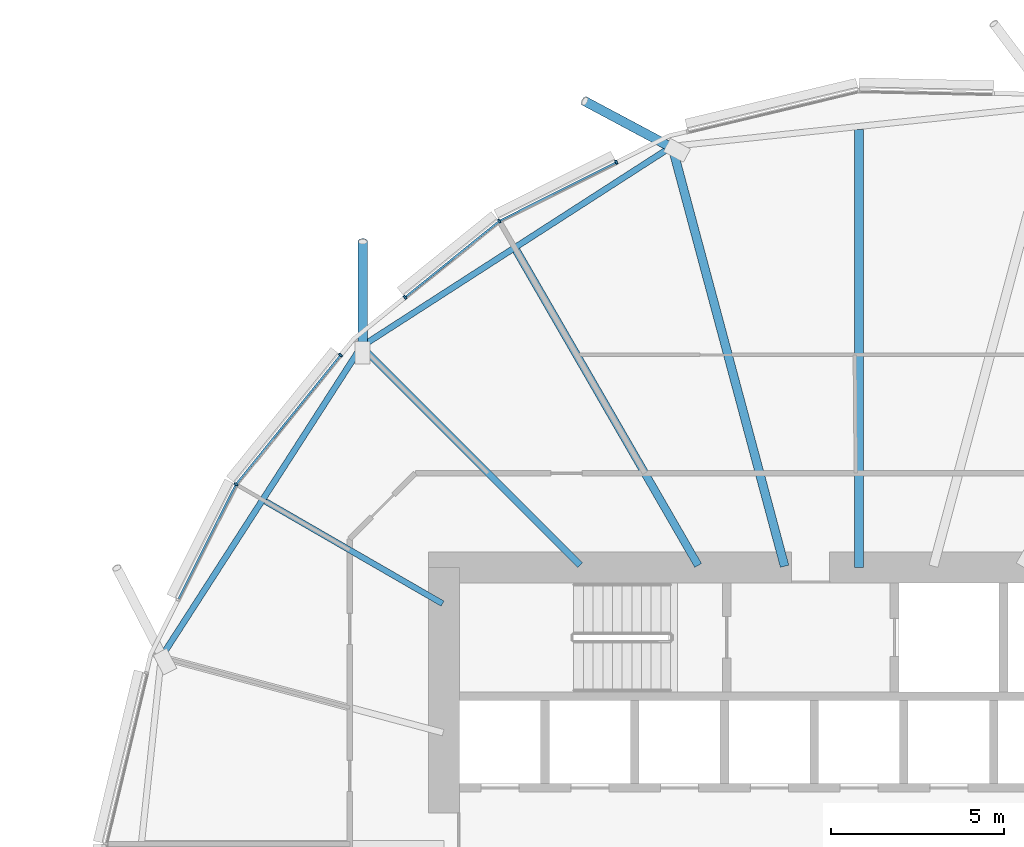
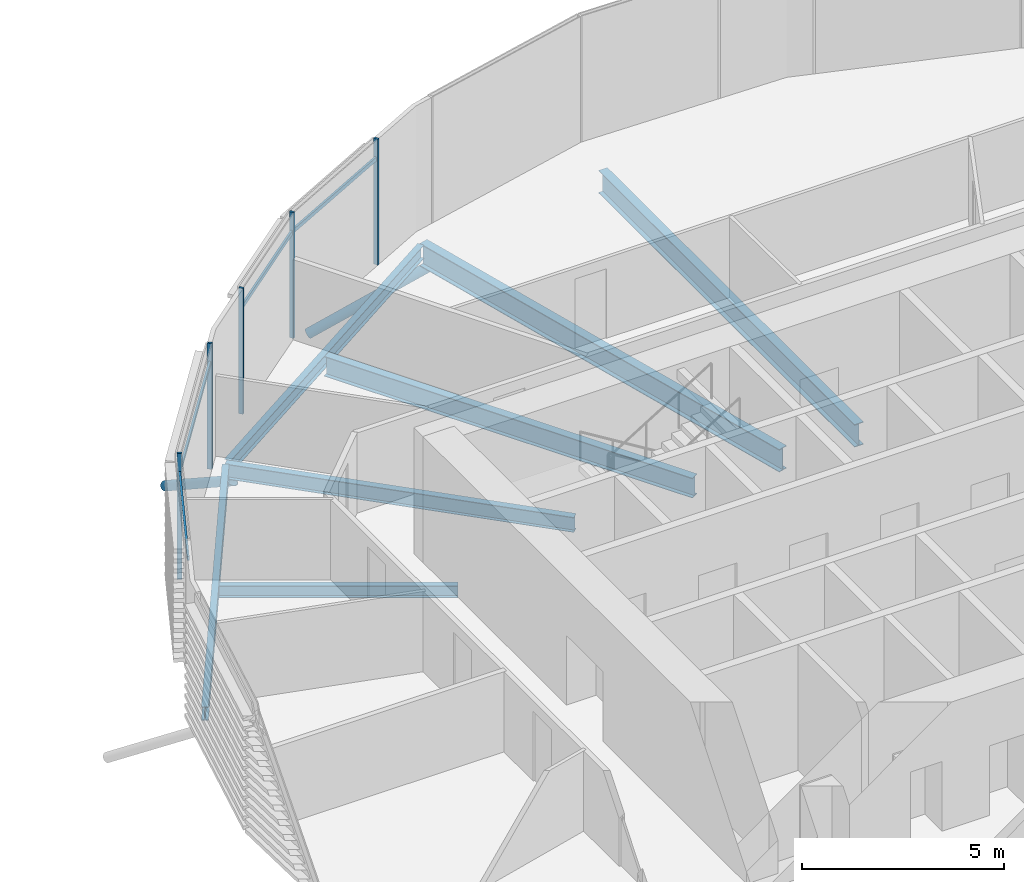
# One storey, part 17 of 37: 11 members, 7 beams, 1 element without a shape of its own.
"""IFC4 building model written with IfcOpenShell, lengths in metres."""

from ifc_helpers import new_model, si_unit, direction, frame, origin, origin_2d, place, context, subcontext, project, spatial, rectangle, hollow_circle, i_section, extrude, clip, halfspace, material, material_profile, profile_set, type_object, element, aggregate, save


model = new_model("IFC4")

# Units and contexts
model_context = context("Model", 3, precision=1e-05, world=origin(), true_north=direction((0.0, 1.0)))
body_context = subcontext(model_context, "Body", "Model", "MODEL_VIEW")
ifc_project = project(units=[si_unit("LENGTHUNIT", "METRE"), si_unit("AREAUNIT", "SQUARE_METRE"), si_unit("VOLUMEUNIT", "CUBIC_METRE"), si_unit("PLANEANGLEUNIT", "RADIAN"), si_unit("MASSUNIT", "GRAM", prefix="KILO")], contexts=[model_context])

# Site, building, storey
site_placement = place(None, origin())
site = spatial("IfcSite", under=ifc_project, at=site_placement, CompositionType="ELEMENT")
building_placement = place(site_placement, origin())
building = spatial("IfcBuilding", under=site, at=building_placement, Name="Rimbun Link Towers", CompositionType="ELEMENT")
storey_placement = place(building_placement, frame((0.0, 0.0, 60.39990234375)))
storey = spatial("IfcBuildingStorey", under=building, at=storey_placement, Name="L14", CompositionType="ELEMENT", Elevation=60.39990234375)

# Curtain wall, members
ifc_material_1 = material(Name="Aluminium 6063-T6 and low-iron glass", Category="aluminium")
curtain_wall_type = type_object("IfcCurtainWallType", Name="CW1 unitised vision wall", PredefinedType="NOTDEFINED", material=ifc_material_1)
curtain_wall_placement = place(storey_placement, origin())
curtain_wall = element("IfcCurtainWall", 1, at=curtain_wall_placement, inside=storey, type_object=curtain_wall_type, Name="CW1 L14 T2", PredefinedType="NOTDEFINED")
ifc_material_2 = material(Name="Aluminium 6063-T6", Category="aluminium")
ifc_material_profile_1 = material_profile(ifc_material_2, rectangle(XDim=0.1201171875, YDim=0.06005859375, at=origin_2d()), Name="MULLION 60X120")
ifc_profile_set_1 = profile_set([ifc_material_profile_1], Name="Aluminium 6063-T6")
member_type_1 = type_object("IfcMemberType", Name="CW1 mullion 60X120", PredefinedType="MULLION", material=ifc_profile_set_1)
member_1_placement = place(storey_placement, frame((21.34716796875, 18.01220703125, 0.0), z_axis=(0.0, 0.0, 1.0), x_axis=(-0.542104802562, 0.840310884756, 0.0)))
member_1 = element("IfcMember", 2, at=member_1_placement, type_object=member_type_1, Name="CW1 mullion", PredefinedType="MULLION", context=body_context, shape_type="SweptSolid", body=[
    extrude(rectangle(XDim=0.1201171875, YDim=0.06005859375, at=origin_2d()), origin(), (0.0, 0.0, 1.0), 3.800048828125),
])
member_2_placement = place(storey_placement, frame((24.73193359375, 19.712158203125, 0.0), z_axis=(0.0, 0.0, 1.0), x_axis=(-0.448789200311, 0.893637652343, 0.0)))
member_2 = element("IfcMember", 3, at=member_2_placement, type_object=member_type_1, Name="CW1 mullion", PredefinedType="MULLION", context=body_context, shape_type="SweptSolid", body=[
    extrude(rectangle(XDim=0.1201171875, YDim=0.06005859375, at=origin_2d()), origin(), (0.0, 0.0, 1.0), 3.800048828125),
])
member_3_placement = place(storey_placement, frame((18.623291015625, 15.8076171875, 0.0), z_axis=(0.0, 0.0, 1.0), x_axis=(-0.62915825639, 0.777277227517, 0.0)))
member_3 = element("IfcMember", 4, at=member_3_placement, type_object=member_type_1, Name="CW1 mullion", PredefinedType="MULLION", context=body_context, shape_type="SweptSolid", body=[
    extrude(rectangle(XDim=0.1201171875, YDim=0.06005859375, at=origin_2d()), origin(), (0.0, 0.0, 1.0), 3.800048828125),
])
member_4_placement = place(storey_placement, frame((13.73779296875, 10.40283203125, 0.0), z_axis=(0.0, 0.0, 1.0), x_axis=(-0.840310884756, 0.542104802562, 0.0)))
member_4 = element("IfcMember", 5, at=member_4_placement, type_object=member_type_1, Name="CW1 mullion", PredefinedType="MULLION", context=body_context, shape_type="SweptSolid", body=[
    extrude(rectangle(XDim=0.1201171875, YDim=0.06005859375, at=origin_2d()), origin(), (0.0, 0.0, 1.0), 3.800048828125),
])
member_5_placement = place(storey_placement, frame((16.76025390625, 14.136962890625, 0.0), z_axis=(0.0, 0.0, 1.0), x_axis=(-0.777277227517, 0.62915825639, 0.0)))
member_5 = element("IfcMember", 6, at=member_5_placement, type_object=member_type_1, Name="CW1 mullion", PredefinedType="MULLION", context=body_context, shape_type="SweptSolid", body=[
    extrude(rectangle(XDim=0.1201171875, YDim=0.06005859375, at=origin_2d()), origin(), (0.0, 0.0, 1.0), 3.800048828125),
])
ifc_material_3 = material(Name="Aluminium 6063-T6", Category="aluminium")
ifc_material_profile_2 = material_profile(ifc_material_3, rectangle(XDim=0.06005859375, YDim=0.1201171875, at=origin_2d()), Name="TRANSOM 60X120")
ifc_profile_set_2 = profile_set([ifc_material_profile_2], Name="Aluminium 6063-T6")
member_type_2 = type_object("IfcMemberType", Name="CW1 transom 60X120", PredefinedType="USERDEFINED", material=ifc_profile_set_2)
member_6_placement = place(storey_placement, frame((21.380615234375, 18.027099609375, 3.2001953125), z_axis=(0.893651671984, 0.448761283046, 0.0), x_axis=(-0.448761283046, 0.893651671984, 0.0)))
member_6 = element("IfcMember", 7, at=member_6_placement, type_object=member_type_2, Name="CW1 transom", ObjectType="TRANSOM", PredefinedType="USERDEFINED", context=body_context, shape_type="SweptSolid", body=[
    extrude(rectangle(XDim=0.06005859375, YDim=0.1201171875, at=origin_2d()), origin(), (0.0, 0.0, 1.0), 3.72119140625),
])
member_7_placement = place(storey_placement, frame((18.64794921875, 15.824951171875, 3.2001953125), z_axis=(0.777287868603, 0.629145109909, 0.0), x_axis=(-0.629145109909, 0.777287868603, 0.0)))
member_7 = element("IfcMember", 8, at=member_7_placement, type_object=member_type_2, Name="CW1 transom", ObjectType="TRANSOM", PredefinedType="USERDEFINED", context=body_context, shape_type="SweptSolid", body=[
    extrude(rectangle(XDim=0.06005859375, YDim=0.1201171875, at=origin_2d()), origin(), (0.0, 0.0, 1.0), 3.437744140625),
])
member_8_placement = place(storey_placement, frame((13.76220703125, 10.429931640625, 3.2001953125), z_axis=(0.629140413525, 0.777291669883, 0.0), x_axis=(-0.777291669883, 0.629140413525, 0.0)))
member_8 = element("IfcMember", 9, at=member_8_placement, type_object=member_type_2, Name="CW1 transom", ObjectType="TRANSOM", PredefinedType="USERDEFINED", context=body_context, shape_type="SweptSolid", body=[
    extrude(rectangle(XDim=0.06005859375, YDim=0.1201171875, at=origin_2d()), origin(), (0.0, 0.0, 1.0), 4.73779296875),
])
member_9_placement = place(storey_placement, frame((12.075439453125, 7.088623046875, 3.2001953125), z_axis=(0.448755777532, 0.893654436643, 0.0), x_axis=(-0.893654436643, 0.448755777532, 0.0)))
member_9 = element("IfcMember", 10, at=member_9_placement, type_object=member_type_2, Name="CW1 transom", ObjectType="TRANSOM", PredefinedType="USERDEFINED", context=body_context, shape_type="SweptSolid", body=[
    extrude(rectangle(XDim=0.06005859375, YDim=0.1201171875, at=origin_2d()), origin(), (0.0, 0.0, 1.0), 3.671142578125),
])
aggregate(curtain_wall, [member_1, member_2, member_3, member_4, member_5, member_6, member_7, member_8, member_9])

# Members
ifc_material_4 = material(Name="Steel S355J2H", Category="steel")
ifc_material_profile_3 = material_profile(ifc_material_4, hollow_circle(Radius=0.136474609375, WallThickness=0.012451171875, at=origin_2d()), Name="CHS 273x12.5")
ifc_profile_set_3 = profile_set([ifc_material_profile_3], Name="Steel S355J2H")
member_type_3 = type_object("IfcMemberType", Name="Floor edge link CHS 273x12.5", PredefinedType="BRACE", material=ifc_profile_set_3)
member_10_placement = place(storey_placement, frame((26.357177734375, 20.126708984375, -0.957763671875), z_axis=(-0.737683881414, 0.393723574116, -0.548456231879), x_axis=(-0.470860246145, -0.88220781486, 0.0)))
element("IfcMember", 11, at=member_10_placement, inside=storey, type_object=member_type_3, Name="Floor edge link T2 L14 04", PredefinedType="BRACE", context=body_context, shape_type="Clipping", body=[
    clip(extrude(hollow_circle(Radius=0.136474609375, WallThickness=0.012451171875, at=origin_2d()), frame((0.0, 0.0, -0.434326171875)), (0.0, 0.0, 1.0), 3.88818359375), halfspace(frame((0.0, 0.0, -0.204833984375), z_axis=(0.0, 0.836179264101, -0.548456231879)), False)),
])
member_11_placement = place(storey_placement, frame((17.3974609375, 14.3525390625, -0.727783203125), z_axis=(0.001260790724, 0.83709868318, -0.547050459305), x_axis=(-0.999998865768, 0.001506141772, 0.0)))
element("IfcMember", 12, at=member_11_placement, inside=storey, type_object=member_type_3, Name="Floor edge link T2 L14 06", PredefinedType="BRACE", context=body_context, shape_type="Clipping", body=[
    clip(extrude(hollow_circle(Radius=0.136474609375, WallThickness=0.012451171875, at=origin_2d()), frame((0.0, 0.0, -0.43603515625)), (0.0, 0.0, 1.0), 4.115234375), halfspace(frame((0.0, 0.0, -0.20556640625), z_axis=(0.0, 0.837099632645, -0.547050459305)), False)),
])

# Beams
ifc_material_5 = material(Name="Steel S355J2", Category="steel")
ifc_material_profile_4 = material_profile(ifc_material_5, i_section(OverallWidth=0.17138671875, OverallDepth=0.35498046875, WebThickness=0.00732421875, FlangeThickness=0.011474609375, at=origin_2d()), Name="UB 356x171x51")
ifc_profile_set_4 = profile_set([ifc_material_profile_4], Name="Steel S355J2")
beam_type_1 = type_object("IfcBeamType", Name="UB 356x171x51", PredefinedType="BEAM", material=ifc_profile_set_4)
beam_1_placement = place(storey_placement, frame((19.706298828125, 6.95361328125, -0.33740234375), z_axis=(-0.866039857565, 0.499974964482, 0.0), x_axis=(-0.499974964482, -0.866039857565, 0.0)))
element("IfcBeam", 13, at=beam_1_placement, inside=storey, type_object=beam_type_1, Name="Radial beam T2 L14 07", PredefinedType="BEAM", context=body_context, shape_type="SweptSolid", body=[
    extrude(i_section(OverallWidth=0.17138671875, OverallDepth=0.35498046875, WebThickness=0.00732421875, FlangeThickness=0.011474609375, at=origin_2d()), origin(), (0.0, 0.0, 1.0), 5.914306640625),
])
ifc_material_6 = material(Name="Steel S355J2", Category="steel")
ifc_material_profile_5 = material_profile(ifc_material_6, i_section(OverallWidth=0.177978515625, OverallDepth=0.406494140625, WebThickness=0.0078125, FlangeThickness=0.0126953125, at=origin_2d()), Name="UB 406x178x60")
ifc_profile_set_5 = profile_set([ifc_material_profile_5], Name="Steel S355J2")
beam_type_2 = type_object("IfcBeamType", Name="UB 406x178x60", PredefinedType="BEAM", material=ifc_profile_set_5)
beam_2_placement = place(storey_placement, frame((26.231201171875, 20.102294921875, -0.363037109375), z_axis=(-0.840630116138, -0.541609645263, 0.0), x_axis=(0.541609645263, -0.840630116138, 0.0)))
element("IfcBeam", 14, at=beam_2_placement, inside=storey, type_object=beam_type_2, Name="Edge beam T2 L14 04-06", PredefinedType="BEAM", context=body_context, shape_type="SweptSolid", body=[
    extrude(i_section(OverallWidth=0.177978515625, OverallDepth=0.406494140625, WebThickness=0.0078125, FlangeThickness=0.0126953125, at=origin_2d()), origin(), (0.0, 0.0, 1.0), 10.452392578125),
])
beam_3_placement = place(storey_placement, frame((17.308837890625, 14.305419921875, -0.363037109375), z_axis=(-0.541613961601, -0.840627335149, 0.0), x_axis=(0.840627335149, -0.541613961601, 0.0)))
element("IfcBeam", 15, at=beam_3_placement, inside=storey, type_object=beam_type_2, Name="Edge beam T2 L14 06-08", PredefinedType="BEAM", context=body_context, shape_type="SweptSolid", body=[
    extrude(i_section(OverallWidth=0.177978515625, OverallDepth=0.406494140625, WebThickness=0.0078125, FlangeThickness=0.0126953125, at=origin_2d()), origin(), (0.0, 0.0, 1.0), 10.486083984375),
])
ifc_material_7 = material(Name="Steel S355J2", Category="steel")
ifc_material_profile_6 = material_profile(ifc_material_7, i_section(OverallWidth=0.18994140625, OverallDepth=0.453369140625, WebThickness=0.008544921875, FlangeThickness=0.0126953125, at=origin_2d()), Name="UB 457x191x67")
ifc_profile_set_6 = profile_set([ifc_material_profile_6], Name="Steel S355J2")
beam_type_3 = type_object("IfcBeamType", Name="UB 457x191x67", PredefinedType="BEAM", material=ifc_profile_set_6)
beam_4_placement = place(storey_placement, frame((23.68212890625, 8.06787109375, -0.38671875), z_axis=(-0.707106781187, 0.707106781187, 0.0), x_axis=(-0.707106781187, -0.707106781187, 0.0)))
element("IfcBeam", 16, at=beam_4_placement, inside=storey, type_object=beam_type_3, Name="Radial beam T2 L14 06", PredefinedType="BEAM", context=body_context, shape_type="SweptSolid", body=[
    extrude(i_section(OverallWidth=0.18994140625, OverallDepth=0.453369140625, WebThickness=0.008544921875, FlangeThickness=0.0126953125, at=origin_2d()), origin(), (0.0, 0.0, 1.0), 8.93798828125),
])
ifc_material_8 = material(Name="Steel S355J2", Category="steel")
ifc_material_profile_7 = material_profile(ifc_material_8, i_section(OverallWidth=0.2275390625, OverallDepth=0.6025390625, WebThickness=0.010498046875, FlangeThickness=0.014892578125, at=origin_2d()), Name="UB 610x229x101")
ifc_profile_set_7 = profile_set([ifc_material_profile_7], Name="Steel S355J2")
beam_type_4 = type_object("IfcBeamType", Name="UB 610x229x101", PredefinedType="BEAM", material=ifc_profile_set_7)
beam_5_placement = place(storey_placement, frame((27.097900390625, 8.057861328125, -0.461181640625), z_axis=(-0.500006456804, 0.866021675915, 0.0), x_axis=(-0.866021675915, -0.500006456804, 0.0)))
element("IfcBeam", 17, at=beam_5_placement, inside=storey, type_object=beam_type_4, Name="Radial beam T2 L14 05", PredefinedType="BEAM", context=body_context, shape_type="SweptSolid", body=[
    extrude(i_section(OverallWidth=0.2275390625, OverallDepth=0.6025390625, WebThickness=0.010498046875, FlangeThickness=0.014892578125, at=origin_2d()), origin(), (0.0, 0.0, 1.0), 10.516845703125),
])
ifc_material_9 = material(Name="Steel S355J2", Category="steel")
ifc_material_profile_8 = material_profile(ifc_material_9, i_section(OverallWidth=0.253662109375, OverallDepth=0.68359375, WebThickness=0.012451171875, FlangeThickness=0.01904296875, at=origin_2d()), Name="UB 686x254x140")
ifc_profile_set_8 = profile_set([ifc_material_profile_8], Name="Steel S355J2")
beam_type_5 = type_object("IfcBeamType", Name="UB 686x254x140", PredefinedType="BEAM", material=ifc_profile_set_8)
beam_6_placement = place(storey_placement, frame((31.75, 8.0009765625, -0.501708984375), z_axis=(0.0, 1.0, 0.0), x_axis=(-1.0, 0.0, 0.0)))
element("IfcBeam", 18, at=beam_6_placement, inside=storey, type_object=beam_type_5, Name="Radial beam T2 L14 03", PredefinedType="BEAM", context=body_context, shape_type="SweptSolid", body=[
    extrude(i_section(OverallWidth=0.253662109375, OverallDepth=0.68359375, WebThickness=0.012451171875, FlangeThickness=0.01904296875, at=origin_2d()), origin(), (0.0, 0.0, 1.0), 12.658935546875),
])
beam_7_placement = place(storey_placement, frame((29.597412109375, 8.03369140625, -0.501708984375), z_axis=(-0.258830257283, 0.965922821924, 0.0), x_axis=(-0.965922821924, -0.258830257283, 0.0)))
element("IfcBeam", 19, at=beam_7_placement, inside=storey, type_object=beam_type_5, Name="Radial beam T2 L14 04", PredefinedType="BEAM", context=body_context, shape_type="SweptSolid", body=[
    extrude(i_section(OverallWidth=0.253662109375, OverallDepth=0.68359375, WebThickness=0.012451171875, FlangeThickness=0.01904296875, at=origin_2d()), origin(), (0.0, 0.0, 1.0), 12.569580078125),
])

save(model, "model.ifc")
